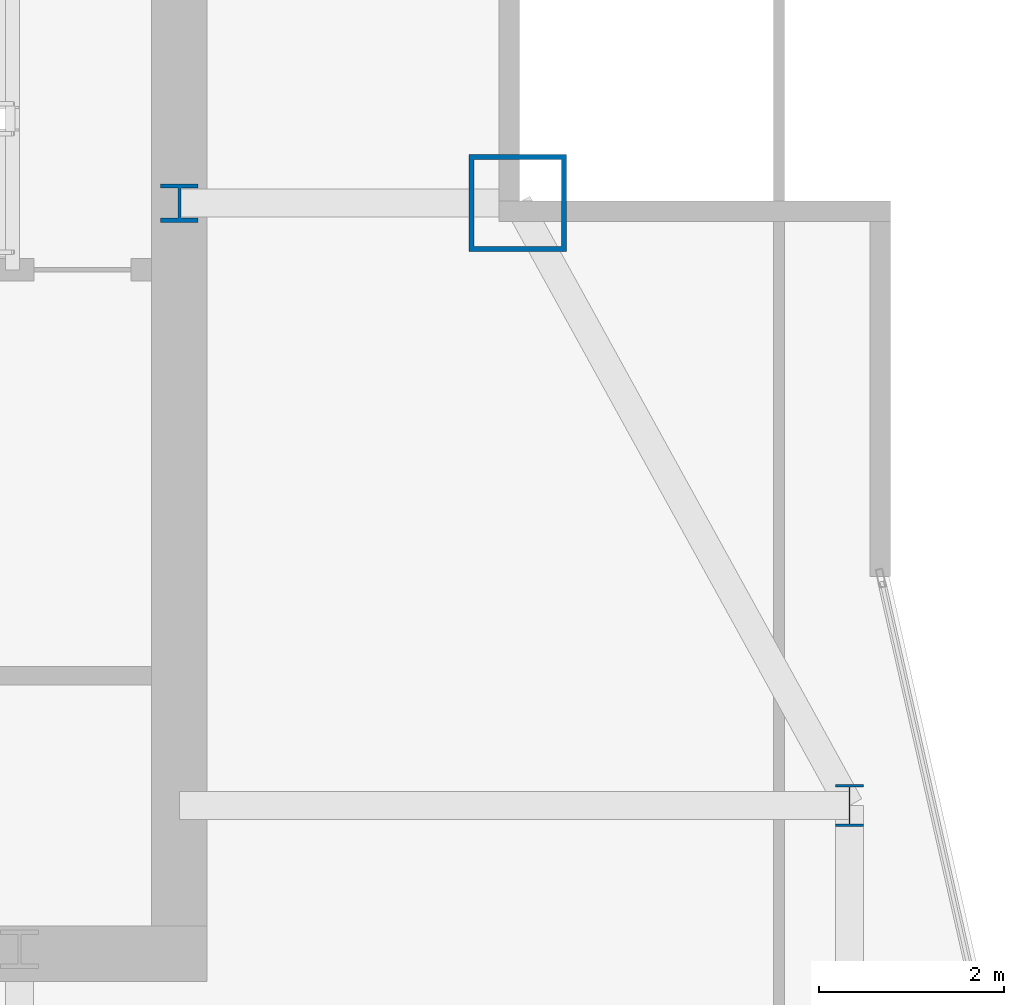
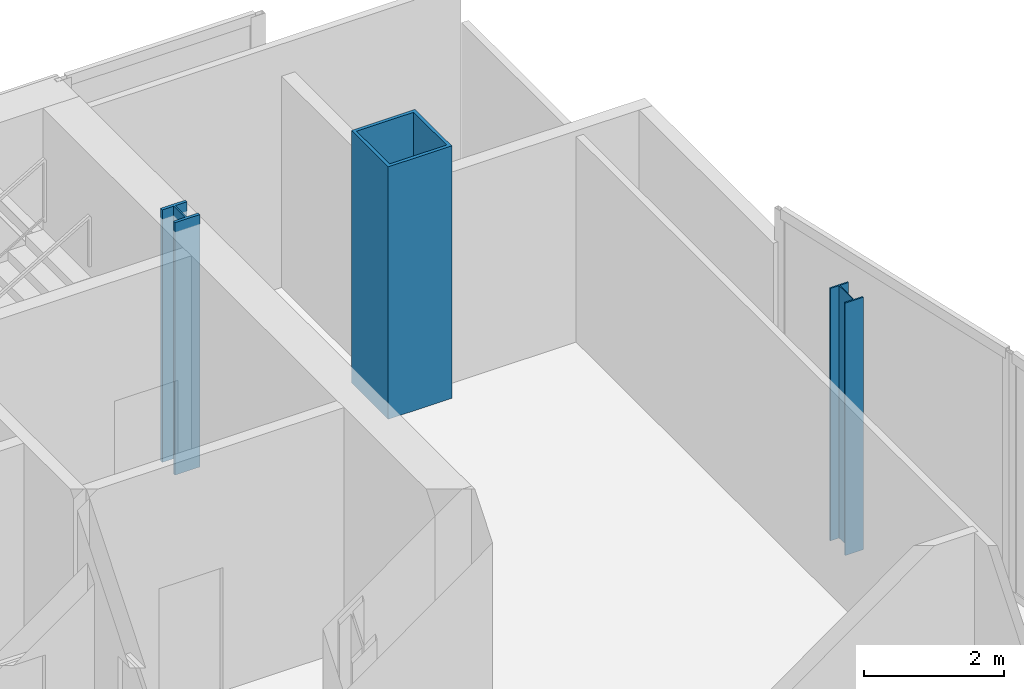
# One storey, part 4 of 28: 3 columns.
"""IFC4 building model written with IfcOpenShell, lengths in metres."""

from ifc_helpers import new_model, si_unit, direction, frame, origin, origin_2d, place, context, subcontext, project, spatial, hollow_rectangle, i_section, extrude, material, material_profile, profile_set, type_object, element, save


model = new_model("IFC4")

# Units and contexts
model_context = context("Model", 3, precision=1e-05, world=origin(), true_north=direction((0.0, 1.0)))
body_context = subcontext(model_context, "Body", "Model", "MODEL_VIEW")
ifc_project = project(units=[si_unit("LENGTHUNIT", "METRE"), si_unit("AREAUNIT", "SQUARE_METRE"), si_unit("VOLUMEUNIT", "CUBIC_METRE"), si_unit("PLANEANGLEUNIT", "RADIAN"), si_unit("MASSUNIT", "GRAM", prefix="KILO")], contexts=[model_context])

# Site, building, storey
site_placement = place(None, origin())
site = spatial("IfcSite", under=ifc_project, at=site_placement, CompositionType="ELEMENT")
building_placement = place(site_placement, origin())
building = spatial("IfcBuilding", under=site, at=building_placement, Name="Khoronbel Lancet Exchange", CompositionType="ELEMENT")
storey_placement = place(building_placement, frame((0.0, 0.0, 265.39990234375)))
storey = spatial("IfcBuildingStorey", under=building, at=storey_placement, Name="L68", CompositionType="ELEMENT", Elevation=265.39990234375)

# Columns
ifc_material_1 = material(Name="Steel S355", Category="steel")
ifc_material_profile_1 = material_profile(ifc_material_1, i_section(OverallWidth=0.406005859375, OverallDepth=0.416015625, WebThickness=0.02978515625, FlangeThickness=0.048095703125, at=origin_2d()), Name="HD 400x382")
ifc_profile_set_1 = profile_set([ifc_material_profile_1], Name="Steel S355")
column_type_1 = type_object("IfcColumnType", Name="COL-IC3", PredefinedType="COLUMN", material=ifc_profile_set_1)
column_1_placement = place(storey_placement, frame((56.39990234375, 49.699951171875, 0.0), z_axis=(0.0, 0.0, 1.0), x_axis=(1.0, 0.0, 0.0)))
element("IfcColumn", 1, at=column_1_placement, inside=storey, type_object=column_type_1, Name="Core-flank plumb transfer column CFE L68", PredefinedType="COLUMN", context=body_context, shape_type="SweptSolid", body=[
    extrude(i_section(OverallWidth=0.406005859375, OverallDepth=0.416015625, WebThickness=0.02978515625, FlangeThickness=0.048095703125, at=origin_2d()), origin(), (0.0, 0.0, 1.0), 4.400146484375),
])
ifc_material_profile_2 = material_profile(ifc_material_1, i_section(OverallWidth=0.300048828125, OverallDepth=0.449951171875, WebThickness=0.013916015625, FlangeThickness=0.02587890625, at=origin_2d()), Name="HEB 450")
ifc_profile_set_2 = profile_set([ifc_material_profile_2], Name="Steel S355")
column_type_2 = type_object("IfcColumnType", Name="COL-LC2", PredefinedType="COLUMN", material=ifc_profile_set_2)
column_2_placement = place(storey_placement, frame((63.6298828125, 43.199951171875, 0.0), z_axis=(0.0, 0.0, 1.0), x_axis=(1.0, 0.0, 0.0)))
element("IfcColumn", 2, at=column_2_placement, inside=storey, type_object=column_type_2, Name="Structural column EC-4 L68", PredefinedType="COLUMN", context=body_context, shape_type="SweptSolid", body=[
    extrude(i_section(OverallWidth=0.300048828125, OverallDepth=0.449951171875, WebThickness=0.013916015625, FlangeThickness=0.02587890625, at=origin_2d()), origin(), (0.0, 0.0, 1.0), 4.400146484375),
])
ifc_material_2 = material(Name="Steel S460", Category="steel")
ifc_material_profile_3 = material_profile(ifc_material_2, hollow_rectangle(XDim=1.050048828125, YDim=1.050048828125, WallThickness=0.054931640625, at=origin_2d()), Name="BOX 1050x1050x55")
ifc_profile_set_3 = profile_set([ifc_material_profile_3], Name="Steel S460")
column_type_3 = type_object("IfcColumnType", Name="COL-MC6", PredefinedType="COLUMN", material=ifc_profile_set_3)
column_3_placement = place(storey_placement, frame((60.050048828125, 49.699951171875, 0.0), z_axis=(0.0, 0.0, 1.0), x_axis=(1.0, 0.0, 0.0)))
element("IfcColumn", 3, at=column_3_placement, inside=storey, type_object=column_type_3, Name="Structural column MC-NE L68", PredefinedType="COLUMN", context=body_context, shape_type="SweptSolid", body=[
    extrude(hollow_rectangle(XDim=1.050048828125, YDim=1.050048828125, WallThickness=0.054931640625, at=origin_2d()), origin(), (0.0, 0.0, 1.0), 4.400146484375),
])

save(model, "model.ifc")
